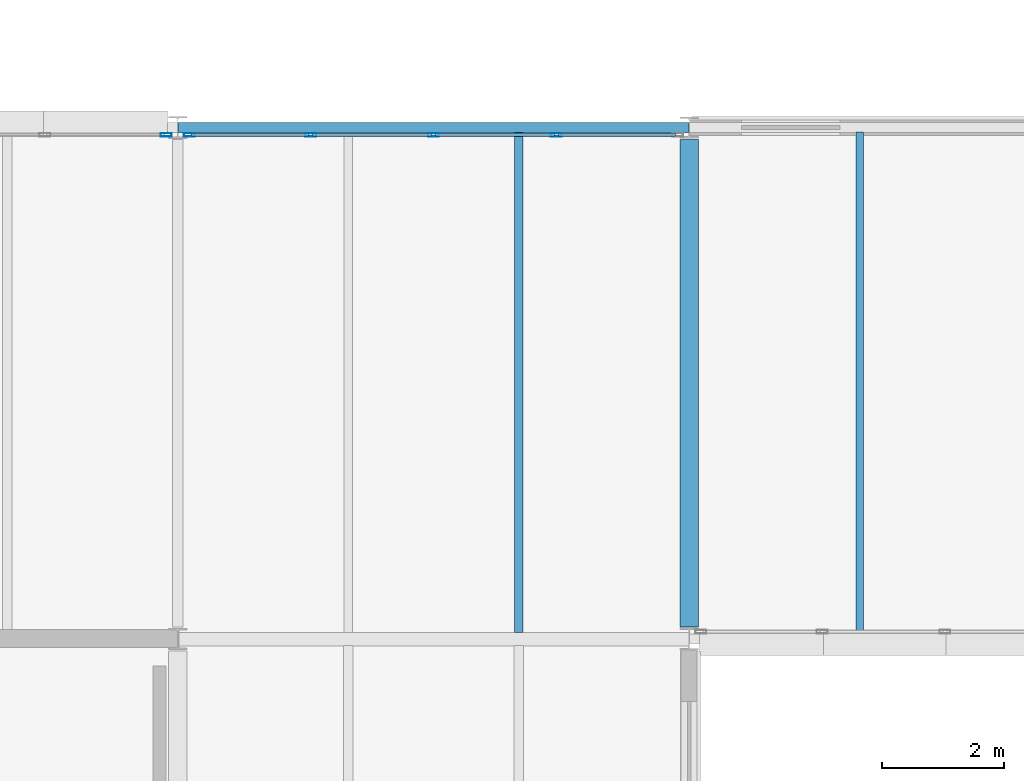
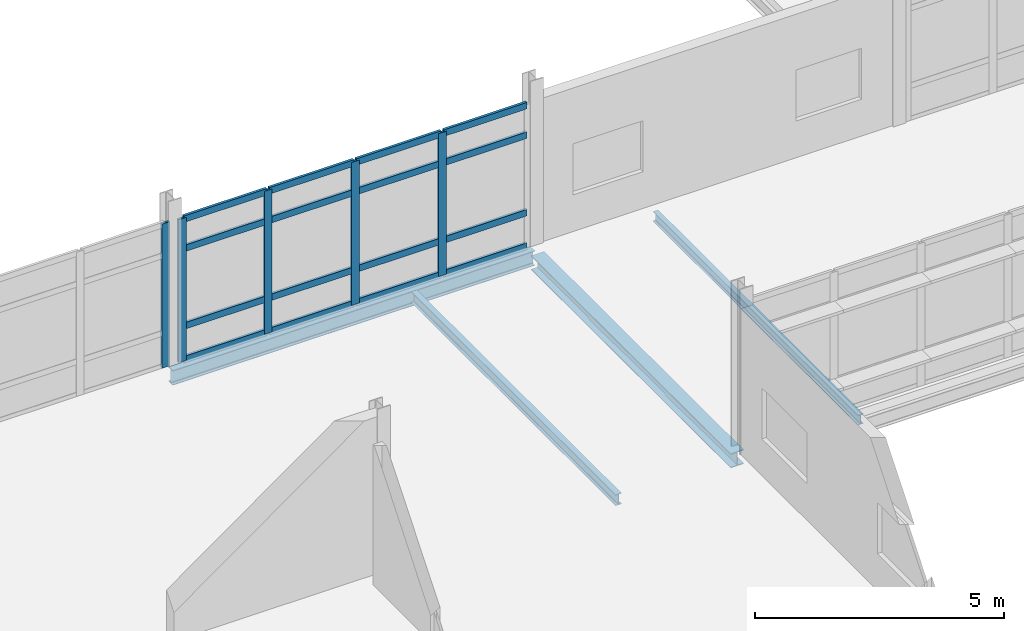
# One storey, part 41 of 131: 21 members, 4 beams, 2 elements without a shape of their own.
"""IFC4 building model written with IfcOpenShell, lengths in metres."""

import ifcopenshell
import ifcopenshell.guid

model = None  # the IFC model being written
_history = None  # IfcOwnerHistory: only IFC2X3 demands one
_inside = {}  # id of a spatial element -> (the spatial element, [elements in it])
_under = {}  # id of a project, library or spatial element -> (it, [spatial elements below it])
_declared = {}  # id of a project -> (the project, [libraries it declares])
_typed = {}  # id of a type object -> (the type object, [elements of that type])
_made_of = {}  # id of a material, layer set ... -> (it, [elements and type objects made of it])


def new_model(schema):
    """Start an empty IFC model of exactly this schema.

    Asked for "IFC4X3", IfcOpenShell would pick the latest addendum, in which some entities
    have other attributes; the version numbers below select the first issue.
    IFC2X3 requires an IfcOwnerHistory on every rooted entity: one is made here for all.
    """
    global model, _history
    if schema == "IFC4X3":
        model = ifcopenshell.file(schema_version=(4, 3, 0, 0))
    else:
        model = ifcopenshell.file(schema=schema)
    _inside.clear()
    _under.clear()
    _declared.clear()
    _typed.clear()
    _made_of.clear()
    _history = None
    if model.schema == "IFC2X3":
        org = make("IfcOrganization", Name="unknown")
        user = make(
            "IfcPersonAndOrganization",
            ThePerson=make("IfcPerson", FamilyName="unknown"),
            TheOrganization=org,
        )
        app = make(
            "IfcApplication",
            ApplicationDeveloper=org,
            Version="unknown",
            ApplicationFullName="unknown",
            ApplicationIdentifier="unknown",
        )
        _history = make(
            "IfcOwnerHistory",
            OwningUser=user,
            OwningApplication=app,
            ChangeAction="ADDED",
            CreationDate=0,
        )
    return model


def make(cls, **values):
    """One entity of the class cls with the attributes given. An attribute that is None is left unset."""
    return model.create_entity(
        cls, **{name: value for name, value in values.items() if value is not None}
    )


def rooted(cls, **values):
    """An entity with a GlobalId (a new one), such as an element, a storey or a relation."""
    return make(cls, GlobalId=ifcopenshell.guid.new(), OwnerHistory=_history, **values)


def si_unit(unit_type, name, prefix=None):
    """IfcSIUnit, for example si_unit("LENGTHUNIT", "METRE", prefix="MILLI")."""
    return make("IfcSIUnit", UnitType=unit_type, Prefix=prefix, Name=name)


def assignment(units):
    """IfcUnitAssignment: the units of a project."""
    return None if units is None else make("IfcUnitAssignment", Units=units)


def point(xyz):
    """IfcCartesianPoint."""
    return None if xyz is None else make("IfcCartesianPoint", Coordinates=xyz)


def direction(xyz):
    """IfcDirection."""
    return None if xyz is None else make("IfcDirection", DirectionRatios=xyz)


def frame(location, z_axis=None, x_axis=None):
    """IfcAxis2Placement3D, a coordinate frame: its origin and axes. An axis left out is left unset."""
    return make(
        "IfcAxis2Placement3D",
        Location=point(location),
        Axis=direction(z_axis),
        RefDirection=direction(x_axis),
    )


def frame_2d(location, x_axis=None):
    """IfcAxis2Placement2D, a coordinate frame in the plane: its origin and x axis."""
    return make(
        "IfcAxis2Placement2D", Location=point(location), RefDirection=direction(x_axis)
    )


def origin():
    """The frame at (0, 0, 0) with its axes left unset."""
    return frame((0.0, 0.0, 0.0))


def origin_2d():
    """The frame at (0, 0) in the plane with its x axis left unset."""
    return frame_2d((0.0, 0.0))


def place(relative_to, where):
    """IfcLocalPlacement: puts the frame where relative to a parent placement (None: the world)."""
    return make(
        "IfcLocalPlacement", PlacementRelTo=relative_to, RelativePlacement=where
    )


def context(
    kind, dimensions, precision=None, world=None, true_north=None, identifier=None
):
    """IfcGeometricRepresentationContext, for example the 3D "Model" context."""
    return make(
        "IfcGeometricRepresentationContext",
        ContextIdentifier=identifier,
        ContextType=kind,
        CoordinateSpaceDimension=dimensions,
        Precision=precision,
        WorldCoordinateSystem=world,
        TrueNorth=true_north,
    )


def subcontext(parent, identifier, kind, view, scale=None):
    """IfcGeometricRepresentationSubContext, for example "Body" below "Model"."""
    return make(
        "IfcGeometricRepresentationSubContext",
        ContextIdentifier=identifier,
        ContextType=kind,
        ParentContext=parent,
        TargetScale=scale,
        TargetView=view,
    )


def project(units=None, contexts=None):
    """IfcProject with its units and contexts."""
    return rooted(
        "IfcProject",
        Name="project",
        RepresentationContexts=contexts,
        UnitsInContext=assignment(units),
    )


def spatial(cls, under=None, at=None, **own):
    """A site, building, storey or space (cls), placed at a placement, below another one or the project."""
    s = rooted(cls, ObjectPlacement=at, **own)
    if under is not None:
        _under.setdefault(under.id(), (under, []))[1].append(s)
    return s


def profile(cls, at=None, kind="AREA", **sizes):
    """A parametric profile (cls). Its sizes go by their IFC names, for example OverallWidth=200.0."""
    return make(cls, ProfileType=kind, Position=at, **sizes)


def hollow_rectangle(**sizes):
    """IfcRectangleHollowProfileDef."""
    return profile("IfcRectangleHollowProfileDef", **sizes)


def i_section(**sizes):
    """IfcIShapeProfileDef."""
    return profile("IfcIShapeProfileDef", **sizes)


def extrude(swept, where, along, depth):
    """IfcExtrudedAreaSolid: the profile swept, set in the frame where, extruded along a direction by depth."""
    return make(
        "IfcExtrudedAreaSolid",
        SweptArea=swept,
        Position=where,
        ExtrudedDirection=direction(along),
        Depth=depth,
    )


def shape(context_of_items, identifier, shape_type, items):
    """IfcShapeRepresentation: the items that make up one representation, for example the "Body"."""
    return make(
        "IfcShapeRepresentation",
        ContextOfItems=context_of_items,
        RepresentationIdentifier=identifier,
        RepresentationType=shape_type,
        Items=items,
    )


def material(Name=None, Category=None):
    """IfcMaterial."""
    return make("IfcMaterial", Name=Name, Category=Category)


def material_profile(
    of_material, cross_section, Name=None, Category=None, Priority=None
):
    """IfcMaterialProfile: a cross section and its material."""
    return make(
        "IfcMaterialProfile",
        Name=Name,
        Material=of_material,
        Profile=cross_section,
        Priority=Priority,
        Category=Category,
    )


def profile_set(profiles, Name=None, composite=None):
    """IfcMaterialProfileSet."""
    return make(
        "IfcMaterialProfileSet",
        Name=Name,
        MaterialProfiles=profiles,
        CompositeProfile=composite,
    )


def made_of(thing, what):
    """Note that an element or type object is made of a material, layer set ...; save() writes the relation."""
    if what is not None:
        _made_of.setdefault(what.id(), (what, []))[1].append(thing)
    return thing


def type_object(cls, material=None, **own):
    """A type object (cls), such as IfcWallType, which elements share."""
    return made_of(rooted(cls, **own), material)


def element(
    cls,
    number,
    at=None,
    inside=None,
    cuts=None,
    type_object=None,
    material=None,
    context=None,
    identifier="Body",
    shape_type=None,
    held_by="IfcProductDefinitionShape",
    body=None,
    shapes=None,
    **own,
):
    """One element of the class cls, such as IfcWall. Its Tag is "e" and its number.

    at: its placement. inside: the storey or other place that contains it. cuts: it is an
    opening in that element (IfcRelVoidsElement). A single representation is given by context,
    identifier, shape_type and body (its items); several are given by shapes. held_by: the class
    of the entity that holds the representations. save() writes the other relations.
    """
    e = rooted(cls, Tag="e%d" % number, ObjectPlacement=at, **own)
    if body is not None:
        shapes = [shape(context, identifier, shape_type, body)]
    if shapes is not None:
        e.Representation = make(held_by, Representations=shapes)
    if inside is not None:
        _inside.setdefault(inside.id(), (inside, []))[1].append(e)
    if cuts is not None:
        rooted(
            "IfcRelVoidsElement", RelatingBuildingElement=cuts, RelatedOpeningElement=e
        )
    if type_object is not None:
        _typed.setdefault(type_object.id(), (type_object, []))[1].append(e)
    return made_of(e, material)


def aggregate(whole, parts):
    """IfcRelAggregates: a whole, such as a stair, and the parts it consists of."""
    return rooted("IfcRelAggregates", RelatingObject=whole, RelatedObjects=parts)


def save(model, path):
    """Write the relations noted so far, then the file.

    IfcRelAggregates (storeys below a building ...), IfcRelContainedInSpatialStructure (elements
    in a storey), IfcRelDefinesByType, IfcRelAssociatesMaterial and IfcRelDeclares: one each for
    every whole, place, type object, material and project.
    """
    for whole, parts in _under.values():
        aggregate(whole, parts)
    for where, things in _inside.values():
        rooted(
            "IfcRelContainedInSpatialStructure",
            RelatedElements=things,
            RelatingStructure=where,
        )
    for kind, things in _typed.values():
        rooted("IfcRelDefinesByType", RelatedObjects=things, RelatingType=kind)
    for what, things in _made_of.values():
        rooted("IfcRelAssociatesMaterial", RelatedObjects=things, RelatingMaterial=what)
    for by, libraries in _declared.values():
        rooted("IfcRelDeclares", RelatingContext=by, RelatedDefinitions=libraries)
    model.write(path)


model = new_model("IFC4")

# Units and contexts
model_context = context("Model", 3, precision=1e-05, world=origin(), true_north=direction((0.0, 1.0)))
body_context = subcontext(model_context, "Body", "Model", "MODEL_VIEW")
ifc_project = project(units=[si_unit("LENGTHUNIT", "METRE"), si_unit("AREAUNIT", "SQUARE_METRE"), si_unit("VOLUMEUNIT", "CUBIC_METRE"), si_unit("PLANEANGLEUNIT", "RADIAN"), si_unit("MASSUNIT", "GRAM", prefix="KILO")], contexts=[model_context])

# Site, building, storey
site_placement = place(None, origin())
site = spatial("IfcSite", under=ifc_project, at=site_placement, CompositionType="ELEMENT")
building_placement = place(site_placement, origin())
building = spatial("IfcBuilding", under=site, at=building_placement, Name="Mersafa Astral City Hall", CompositionType="ELEMENT")
storey_placement = place(building_placement, frame((0.0, 0.0, 13.949951171875)))
storey = spatial("IfcBuildingStorey", under=building, at=storey_placement, Name="L03", CompositionType="ELEMENT", Elevation=13.949951171875)

# Curtain wall, members
ifc_material_1 = material(Name="Anodised bronze aluminium framing", Category="aluminium")
curtain_wall_type_1 = type_object("IfcCurtainWallType", Name="ENV-CW-5", PredefinedType="USERDEFINED", material=ifc_material_1)
curtain_wall_1_placement = place(storey_placement, origin())
curtain_wall_1 = element("IfcCurtainWall", 1, at=curtain_wall_1_placement, inside=storey, type_object=curtain_wall_type_1, Name="L03 Unitised solar curtain wall 172", ObjectType="UNITISED CURTAIN WALL", PredefinedType="USERDEFINED")
ifc_material_profile_1 = material_profile(ifc_material_1, hollow_rectangle(XDim=0.06005859375, YDim=0.179931640625, WallThickness=0.00390625, at=origin_2d()), Name="RHS 60x180x4")
ifc_profile_set_1 = profile_set([ifc_material_profile_1], Name="Anodised bronze aluminium framing")
member_type_1 = type_object("IfcMemberType", Name="ENV-CW-MUL-1", PredefinedType="MULLION", material=ifc_profile_set_1)
member_1_placement = place(storey_placement, frame((23.01904296875, 100.679931640625, -0.001953125), z_axis=(0.0, 0.0, 1.0), x_axis=(0.0, -1.0, 0.0)))
member_1 = element("IfcMember", 2, at=member_1_placement, type_object=member_type_1, Name="CW-5 mullion 2", PredefinedType="MULLION", context=body_context, shape_type="SweptSolid", body=[
    extrude(hollow_rectangle(XDim=0.06005859375, YDim=0.179931640625, WallThickness=0.00390625, at=origin_2d()), origin(), (0.0, 0.0, 1.0), 3.50390625),
])
member_2_placement = place(storey_placement, frame((21.0, 100.679931640625, -0.001953125), z_axis=(0.0, 0.0, 1.0), x_axis=(0.0, -1.0, 0.0)))
member_2 = element("IfcMember", 3, at=member_2_placement, type_object=member_type_1, Name="CW-5 mullion 3", PredefinedType="MULLION", context=body_context, shape_type="SweptSolid", body=[
    extrude(hollow_rectangle(XDim=0.06005859375, YDim=0.179931640625, WallThickness=0.00390625, at=origin_2d()), origin(), (0.0, 0.0, 1.0), 3.50390625),
])
member_3_placement = place(storey_placement, frame((18.98095703125, 100.679931640625, -0.001953125), z_axis=(0.0, 0.0, 1.0), x_axis=(0.0, -1.0, 0.0)))
member_3 = element("IfcMember", 4, at=member_3_placement, type_object=member_type_1, Name="CW-5 mullion 4", PredefinedType="MULLION", context=body_context, shape_type="SweptSolid", body=[
    extrude(hollow_rectangle(XDim=0.06005859375, YDim=0.179931640625, WallThickness=0.00390625, at=origin_2d()), origin(), (0.0, 0.0, 1.0), 3.50390625),
])
member_4_placement = place(storey_placement, frame((16.991943359375, 100.679931640625, -0.001953125), z_axis=(0.0, 0.0, 1.0), x_axis=(0.0, -1.0, 0.0)))
member_4 = element("IfcMember", 5, at=member_4_placement, type_object=member_type_1, Name="CW-5 mullion 5", PredefinedType="MULLION", context=body_context, shape_type="SweptSolid", body=[
    extrude(hollow_rectangle(XDim=0.06005859375, YDim=0.179931640625, WallThickness=0.00390625, at=origin_2d()), origin(), (0.0, 0.0, 1.0), 3.50390625),
])

# Curtain wall, member
curtain_wall_type_2 = type_object("IfcCurtainWallType", Name="ENV-CW-6", PredefinedType="USERDEFINED", material=ifc_material_1)
curtain_wall_2_placement = place(storey_placement, origin())
curtain_wall_2 = element("IfcCurtainWall", 6, at=curtain_wall_2_placement, inside=storey, type_object=curtain_wall_type_2, Name="L03 Unitised solar curtain wall 173", ObjectType="UNITISED CURTAIN WALL", PredefinedType="USERDEFINED")
member_5_placement = place(storey_placement, frame((16.60791015625, 100.679931640625, -0.001953125), z_axis=(0.0, 0.0, 1.0), x_axis=(0.0, -1.0, 0.0)))
member_5 = element("IfcMember", 7, at=member_5_placement, type_object=member_type_1, Name="CW-6 mullion 1", PredefinedType="MULLION", context=body_context, shape_type="SweptSolid", body=[
    extrude(hollow_rectangle(XDim=0.06005859375, YDim=0.179931640625, WallThickness=0.00390625, at=origin_2d()), origin(), (0.0, 0.0, 1.0), 3.533935546875),
])
aggregate(curtain_wall_2, [member_5])

# Member
ifc_material_profile_2 = material_profile(ifc_material_1, hollow_rectangle(XDim=0.06005859375, YDim=0.159912109375, WallThickness=0.00390625, at=origin_2d()), Name="RHS 60x160x4")
ifc_profile_set_2 = profile_set([ifc_material_profile_2], Name="Anodised bronze aluminium framing")
member_type_2 = type_object("IfcMemberType", Name="ENV-CW-TRN-2", PredefinedType="USERDEFINED", material=ifc_profile_set_2)
member_6_placement = place(storey_placement, frame((24.97802734375, 100.679931640625, 0.028076171875), z_axis=(-1.0, 0.0, 0.0), x_axis=(0.0, -1.0, 0.0)))
member_6 = element("IfcMember", 8, at=member_6_placement, type_object=member_type_2, Name="CW-5 transom 1.1", ObjectType="TRANSOM", PredefinedType="USERDEFINED", context=body_context, shape_type="SweptSolid", body=[
    extrude(hollow_rectangle(XDim=0.06005859375, YDim=0.159912109375, WallThickness=0.00390625, at=origin_2d()), origin(), (0.0, 0.0, 1.0), 1.928955078125),
])

member_7_placement = place(storey_placement, frame((24.97802734375, 100.679931640625, 0.85009765625), z_axis=(-1.0, 0.0, 0.0), x_axis=(0.0, -1.0, 0.0)))
member_7 = element("IfcMember", 9, at=member_7_placement, type_object=member_type_2, Name="CW-5 transom 1.2", ObjectType="TRANSOM", PredefinedType="USERDEFINED", context=body_context, shape_type="SweptSolid", body=[
    extrude(hollow_rectangle(XDim=0.06005859375, YDim=0.159912109375, WallThickness=0.00390625, at=origin_2d()), origin(), (0.0, 0.0, 1.0), 1.928955078125),
])

member_8_placement = place(storey_placement, frame((24.97802734375, 100.679931640625, 2.75), z_axis=(-1.0, 0.0, 0.0), x_axis=(0.0, -1.0, 0.0)))
member_8 = element("IfcMember", 10, at=member_8_placement, type_object=member_type_2, Name="CW-5 transom 1.3", ObjectType="TRANSOM", PredefinedType="USERDEFINED", context=body_context, shape_type="SweptSolid", body=[
    extrude(hollow_rectangle(XDim=0.06005859375, YDim=0.159912109375, WallThickness=0.00390625, at=origin_2d()), origin(), (0.0, 0.0, 1.0), 1.928955078125),
])

member_9_placement = place(storey_placement, frame((24.97802734375, 100.679931640625, 3.47216796875), z_axis=(-1.0, 0.0, 0.0), x_axis=(0.0, -1.0, 0.0)))
member_9 = element("IfcMember", 11, at=member_9_placement, type_object=member_type_2, Name="CW-5 transom 1.4", ObjectType="TRANSOM", PredefinedType="USERDEFINED", context=body_context, shape_type="SweptSolid", body=[
    extrude(hollow_rectangle(XDim=0.06005859375, YDim=0.159912109375, WallThickness=0.00390625, at=origin_2d()), origin(), (0.0, 0.0, 1.0), 1.928955078125),
])

member_10_placement = place(storey_placement, frame((22.989013671875, 100.679931640625, 0.028076171875), z_axis=(-1.0, 0.0, 0.0), x_axis=(0.0, -1.0, 0.0)))
member_10 = element("IfcMember", 12, at=member_10_placement, type_object=member_type_2, Name="CW-5 transom 2.1", ObjectType="TRANSOM", PredefinedType="USERDEFINED", context=body_context, shape_type="SweptSolid", body=[
    extrude(hollow_rectangle(XDim=0.06005859375, YDim=0.159912109375, WallThickness=0.00390625, at=origin_2d()), origin(), (0.0, 0.0, 1.0), 1.958984375),
])

member_11_placement = place(storey_placement, frame((22.989013671875, 100.679931640625, 0.85009765625), z_axis=(-1.0, 0.0, 0.0), x_axis=(0.0, -1.0, 0.0)))
member_11 = element("IfcMember", 13, at=member_11_placement, type_object=member_type_2, Name="CW-5 transom 2.2", ObjectType="TRANSOM", PredefinedType="USERDEFINED", context=body_context, shape_type="SweptSolid", body=[
    extrude(hollow_rectangle(XDim=0.06005859375, YDim=0.159912109375, WallThickness=0.00390625, at=origin_2d()), origin(), (0.0, 0.0, 1.0), 1.958984375),
])

member_12_placement = place(storey_placement, frame((22.989013671875, 100.679931640625, 2.75), z_axis=(-1.0, 0.0, 0.0), x_axis=(0.0, -1.0, 0.0)))
member_12 = element("IfcMember", 14, at=member_12_placement, type_object=member_type_2, Name="CW-5 transom 2.3", ObjectType="TRANSOM", PredefinedType="USERDEFINED", context=body_context, shape_type="SweptSolid", body=[
    extrude(hollow_rectangle(XDim=0.06005859375, YDim=0.159912109375, WallThickness=0.00390625, at=origin_2d()), origin(), (0.0, 0.0, 1.0), 1.958984375),
])

member_13_placement = place(storey_placement, frame((22.989013671875, 100.679931640625, 3.47216796875), z_axis=(-1.0, 0.0, 0.0), x_axis=(0.0, -1.0, 0.0)))
member_13 = element("IfcMember", 15, at=member_13_placement, type_object=member_type_2, Name="CW-5 transom 2.4", ObjectType="TRANSOM", PredefinedType="USERDEFINED", context=body_context, shape_type="SweptSolid", body=[
    extrude(hollow_rectangle(XDim=0.06005859375, YDim=0.159912109375, WallThickness=0.00390625, at=origin_2d()), origin(), (0.0, 0.0, 1.0), 1.958984375),
])

member_14_placement = place(storey_placement, frame((20.969970703125, 100.679931640625, 0.028076171875), z_axis=(-1.0, 0.0, 0.0), x_axis=(0.0, -1.0, 0.0)))
member_14 = element("IfcMember", 16, at=member_14_placement, type_object=member_type_2, Name="CW-5 transom 3.1", ObjectType="TRANSOM", PredefinedType="USERDEFINED", context=body_context, shape_type="SweptSolid", body=[
    extrude(hollow_rectangle(XDim=0.06005859375, YDim=0.159912109375, WallThickness=0.00390625, at=origin_2d()), origin(), (0.0, 0.0, 1.0), 1.958984375),
])

member_15_placement = place(storey_placement, frame((20.969970703125, 100.679931640625, 0.85009765625), z_axis=(-1.0, 0.0, 0.0), x_axis=(0.0, -1.0, 0.0)))
member_15 = element("IfcMember", 17, at=member_15_placement, type_object=member_type_2, Name="CW-5 transom 3.2", ObjectType="TRANSOM", PredefinedType="USERDEFINED", context=body_context, shape_type="SweptSolid", body=[
    extrude(hollow_rectangle(XDim=0.06005859375, YDim=0.159912109375, WallThickness=0.00390625, at=origin_2d()), origin(), (0.0, 0.0, 1.0), 1.958984375),
])

member_16_placement = place(storey_placement, frame((20.969970703125, 100.679931640625, 2.75), z_axis=(-1.0, 0.0, 0.0), x_axis=(0.0, -1.0, 0.0)))
member_16 = element("IfcMember", 18, at=member_16_placement, type_object=member_type_2, Name="CW-5 transom 3.3", ObjectType="TRANSOM", PredefinedType="USERDEFINED", context=body_context, shape_type="SweptSolid", body=[
    extrude(hollow_rectangle(XDim=0.06005859375, YDim=0.159912109375, WallThickness=0.00390625, at=origin_2d()), origin(), (0.0, 0.0, 1.0), 1.958984375),
])

member_17_placement = place(storey_placement, frame((20.969970703125, 100.679931640625, 3.47216796875), z_axis=(-1.0, 0.0, 0.0), x_axis=(0.0, -1.0, 0.0)))
member_17 = element("IfcMember", 19, at=member_17_placement, type_object=member_type_2, Name="CW-5 transom 3.4", ObjectType="TRANSOM", PredefinedType="USERDEFINED", context=body_context, shape_type="SweptSolid", body=[
    extrude(hollow_rectangle(XDim=0.06005859375, YDim=0.159912109375, WallThickness=0.00390625, at=origin_2d()), origin(), (0.0, 0.0, 1.0), 1.958984375),
])

member_18_placement = place(storey_placement, frame((18.950927734375, 100.679931640625, 0.028076171875), z_axis=(-1.0, 0.0, 0.0), x_axis=(0.0, -1.0, 0.0)))
member_18 = element("IfcMember", 20, at=member_18_placement, type_object=member_type_2, Name="CW-5 transom 4.1", ObjectType="TRANSOM", PredefinedType="USERDEFINED", context=body_context, shape_type="SweptSolid", body=[
    extrude(hollow_rectangle(XDim=0.06005859375, YDim=0.159912109375, WallThickness=0.00390625, at=origin_2d()), origin(), (0.0, 0.0, 1.0), 1.928955078125),
])

member_19_placement = place(storey_placement, frame((18.950927734375, 100.679931640625, 0.85009765625), z_axis=(-1.0, 0.0, 0.0), x_axis=(0.0, -1.0, 0.0)))
member_19 = element("IfcMember", 21, at=member_19_placement, type_object=member_type_2, Name="CW-5 transom 4.2", ObjectType="TRANSOM", PredefinedType="USERDEFINED", context=body_context, shape_type="SweptSolid", body=[
    extrude(hollow_rectangle(XDim=0.06005859375, YDim=0.159912109375, WallThickness=0.00390625, at=origin_2d()), origin(), (0.0, 0.0, 1.0), 1.928955078125),
])

member_20_placement = place(storey_placement, frame((18.950927734375, 100.679931640625, 2.75), z_axis=(-1.0, 0.0, 0.0), x_axis=(0.0, -1.0, 0.0)))
member_20 = element("IfcMember", 22, at=member_20_placement, type_object=member_type_2, Name="CW-5 transom 4.3", ObjectType="TRANSOM", PredefinedType="USERDEFINED", context=body_context, shape_type="SweptSolid", body=[
    extrude(hollow_rectangle(XDim=0.06005859375, YDim=0.159912109375, WallThickness=0.00390625, at=origin_2d()), origin(), (0.0, 0.0, 1.0), 1.928955078125),
])

member_21_placement = place(storey_placement, frame((18.950927734375, 100.679931640625, 3.47216796875), z_axis=(-1.0, 0.0, 0.0), x_axis=(0.0, -1.0, 0.0)))
member_21 = element("IfcMember", 23, at=member_21_placement, type_object=member_type_2, Name="CW-5 transom 4.4", ObjectType="TRANSOM", PredefinedType="USERDEFINED", context=body_context, shape_type="SweptSolid", body=[
    extrude(hollow_rectangle(XDim=0.06005859375, YDim=0.159912109375, WallThickness=0.00390625, at=origin_2d()), origin(), (0.0, 0.0, 1.0), 1.928955078125),
])

aggregate(curtain_wall_1, [member_1, member_2, member_3, member_4, member_6, member_7, member_8, member_9, member_10, member_11, member_12, member_13, member_14, member_15, member_16, member_17, member_18, member_19, member_20, member_21])

# Beams
ifc_material_2 = material(Name="Steel S355", Category="steel")
ifc_material_profile_3 = material_profile(ifc_material_2, i_section(OverallWidth=0.300048828125, OverallDepth=0.35009765625, WebThickness=0.010009765625, FlangeThickness=0.017578125, FilletRadius=0.027099609375, at=origin_2d()), Name="HEA 360")
ifc_profile_set_3 = profile_set([ifc_material_profile_3], Name="Steel S355")
beam_type_1 = type_object("IfcBeamType", Name="STR-BM-HEA360", PredefinedType="BEAM", material=ifc_profile_set_3)
beam_1_placement = place(storey_placement, frame((25.199951171875, 92.594970703125, -0.375), z_axis=(0.0, 1.0, 0.0), x_axis=(-1.0, 0.0, 0.0)))
element("IfcBeam", 24, at=beam_1_placement, inside=storey, type_object=beam_type_1, Name="L03 Primary girder Y 3-11", PredefinedType="BEAM", context=body_context, shape_type="SweptSolid", body=[
    extrude(i_section(OverallWidth=0.300048828125, OverallDepth=0.35009765625, WebThickness=0.010009765625, FlangeThickness=0.017578125, FilletRadius=0.027099609375, at=origin_2d()), origin(), (0.0, 0.0, 1.0), 8.010009765625),
])
ifc_material_profile_4 = material_profile(ifc_material_2, i_section(OverallWidth=0.1201171875, OverallDepth=0.239990234375, WebThickness=0.006103515625, FlangeThickness=0.009765625, FilletRadius=0.014892578125, at=origin_2d()), Name="IPE 240")
ifc_profile_set_4 = profile_set([ifc_material_profile_4], Name="Steel S355")
beam_type_2 = type_object("IfcBeamType", Name="STR-BM-JOIST-IPE240", PredefinedType="JOIST", material=ifc_profile_set_4)
beam_2_placement = place(storey_placement, frame((28.0, 92.47998046875, -0.320068359375), z_axis=(0.0, 1.0, 0.0), x_axis=(-1.0, 0.0, 0.0)))
element("IfcBeam", 25, at=beam_2_placement, inside=storey, type_object=beam_type_2, Name="L03 Composite secondary floor joist 562", PredefinedType="JOIST", context=body_context, shape_type="SweptSolid", body=[
    extrude(i_section(OverallWidth=0.1201171875, OverallDepth=0.239990234375, WebThickness=0.006103515625, FlangeThickness=0.009765625, FilletRadius=0.014892578125, at=origin_2d()), origin(), (0.0, 0.0, 1.0), 8.2451171875),
])
ifc_material_profile_5 = material_profile(ifc_material_2, i_section(OverallWidth=0.135009765625, OverallDepth=0.27001953125, WebThickness=0.006591796875, FlangeThickness=0.01025390625, FilletRadius=0.014892578125, at=origin_2d()), Name="IPE 270")
ifc_profile_set_5 = profile_set([ifc_material_profile_5], Name="Steel S355")
beam_type_3 = type_object("IfcBeamType", Name="STR-BM-JOIST-IPE270", PredefinedType="JOIST", material=ifc_profile_set_5)
beam_3_placement = place(storey_placement, frame((22.39990234375, 92.5048828125, -0.3349609375), z_axis=(0.0, 1.0, 0.0), x_axis=(-1.0, 0.0, 0.0)))
element("IfcBeam", 26, at=beam_3_placement, inside=storey, type_object=beam_type_3, Name="L03 Composite secondary floor joist 561", PredefinedType="JOIST", context=body_context, shape_type="SweptSolid", body=[
    extrude(i_section(OverallWidth=0.135009765625, OverallDepth=0.27001953125, WebThickness=0.006591796875, FlangeThickness=0.01025390625, FilletRadius=0.014892578125, at=origin_2d()), origin(), (0.0, 0.0, 1.0), 8.215087890625),
])
ifc_material_profile_6 = material_profile(ifc_material_2, i_section(OverallWidth=0.169921875, OverallDepth=0.360107421875, WebThickness=0.008056640625, FlangeThickness=0.0126953125, FilletRadius=0.01806640625, at=origin_2d()), Name="IPE 360")
ifc_profile_set_6 = profile_set([ifc_material_profile_6], Name="Steel S355")
beam_type_4 = type_object("IfcBeamType", Name="STR-BM-SPANDREL-IPE360", PredefinedType="SPANDREL", material=ifc_profile_set_6)
beam_4_placement = place(storey_placement, frame((16.802978515625, 100.800048828125, -0.3798828125), z_axis=(1.0, 0.0, 0.0), x_axis=(0.0, 1.0, 0.0)))
element("IfcBeam", 27, at=beam_4_placement, inside=storey, type_object=beam_type_4, Name="L03 Primary girder X 2-12", PredefinedType="SPANDREL", context=body_context, shape_type="SweptSolid", body=[
    extrude(i_section(OverallWidth=0.169921875, OverallDepth=0.360107421875, WebThickness=0.008056640625, FlangeThickness=0.0126953125, FilletRadius=0.01806640625, at=origin_2d()), origin(), (0.0, 0.0, 1.0), 8.39404296875),
])

save(model, "model.ifc")
